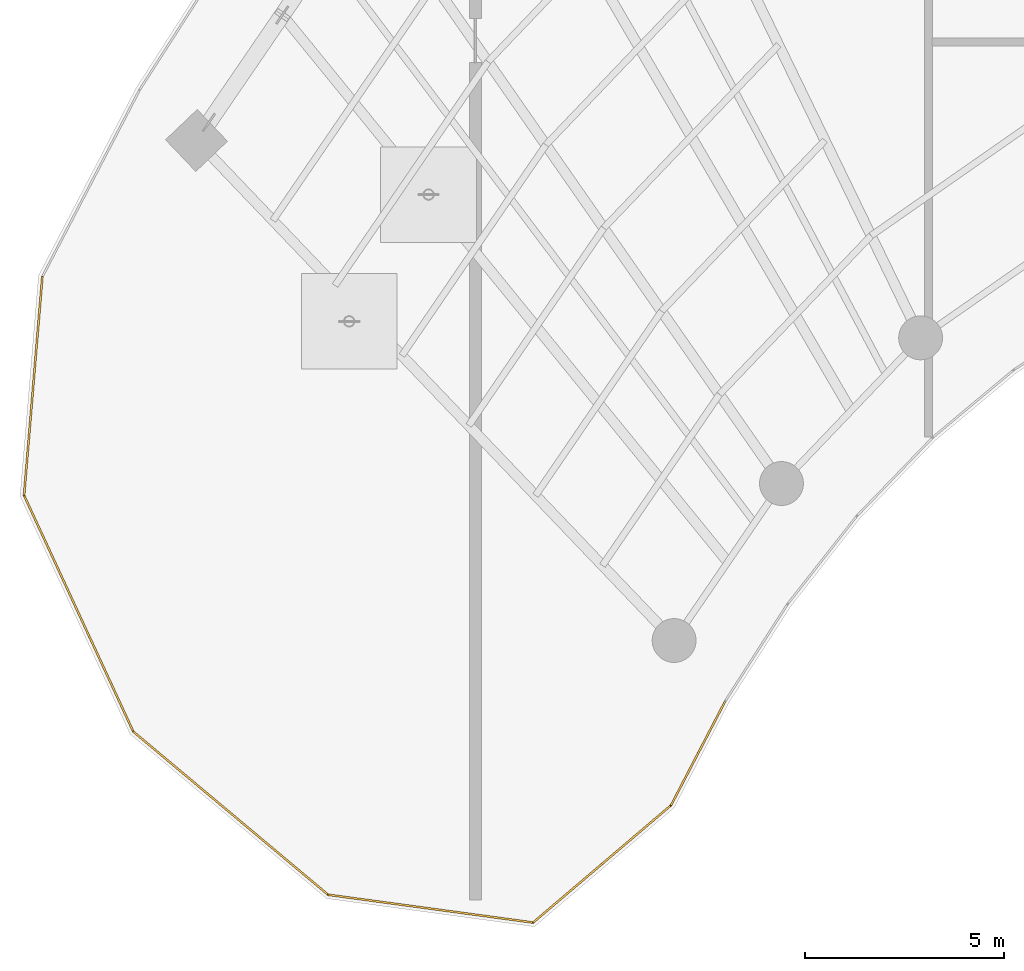
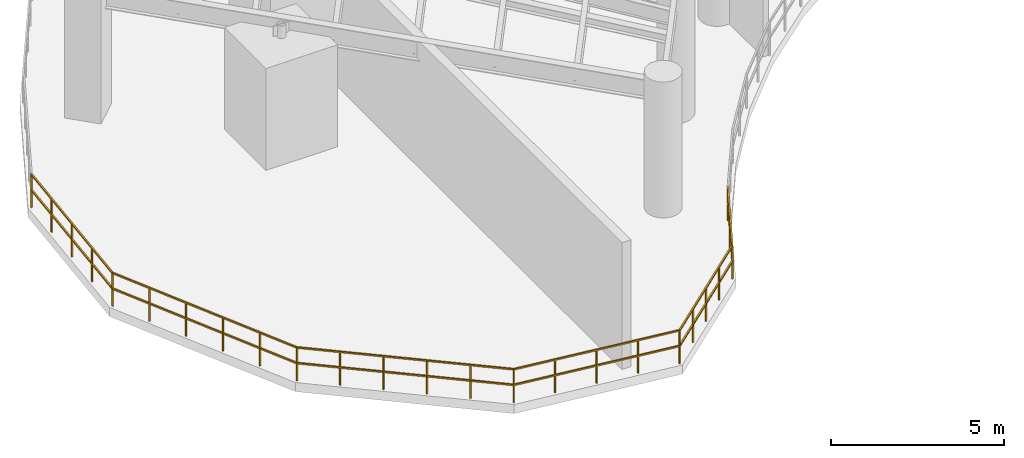
# One storey, part 14 of 24: 6 railings.
"""IFC4 building model written with IfcOpenShell, lengths in metres."""

from ifc_helpers import new_model, si_unit, direction, frame, origin, origin_2d, place, context, subcontext, project, spatial, rectangle, extrude, material, type_object, element, save


model = new_model("IFC4")

# Units and contexts
model_context = context("Model", 3, precision=1e-05, world=origin(), true_north=direction((0.0, 1.0)))
body_context = subcontext(model_context, "Body", "Model", "MODEL_VIEW")
ifc_project = project(units=[si_unit("LENGTHUNIT", "METRE"), si_unit("AREAUNIT", "SQUARE_METRE"), si_unit("VOLUMEUNIT", "CUBIC_METRE"), si_unit("PLANEANGLEUNIT", "RADIAN"), si_unit("MASSUNIT", "GRAM", prefix="KILO")], contexts=[model_context])

# Site, building, storey
site_placement = place(None, origin())
site = spatial("IfcSite", under=ifc_project, at=site_placement, CompositionType="ELEMENT")
building_placement = place(site_placement, origin())
building = spatial("IfcBuilding", under=site, at=building_placement, Name="Breltana Convention Tower", CompositionType="ELEMENT")
storey_placement = place(building_placement, frame((0.0, 0.0, 189.60009765625)))
storey = spatial("IfcBuildingStorey", under=building, at=storey_placement, Name="L46", CompositionType="ELEMENT", Elevation=189.60009765625)

# Railings
ifc_material = material(Name="Stainless Steel 316L", Category="steel")
railing_type = type_object("IfcRailingType", Name="RL-WIND-GUARD-1200", PredefinedType="BALUSTRADE", material=ifc_material)
railing_1_placement = place(storey_placement, frame((29.263671875, 41.4287109375, 0.0)))
element("IfcRailing", 1, at=railing_1_placement, inside=storey, type_object=railing_type, Name="L46 perimeter balustrade 44", PredefinedType="BALUSTRADE", context=body_context, shape_type="SweptSolid", body=[
    extrude(rectangle(XDim=0.048095703125, YDim=0.048095703125, at=origin_2d()), frame((0.0, 0.0, 1.17578125), z_axis=(-0.461773777633, -0.886997732968, 0.0), x_axis=(0.886997732968, -0.461773777633, 0.0)), (0.0, 0.0, 1.0), 2.93896484375),
    extrude(rectangle(XDim=0.048095703125, YDim=0.048095703125, at=origin_2d()), frame((0.0, 0.0, 0.6240234375), z_axis=(-0.461773777633, -0.886997732968, 0.0), x_axis=(0.886997732968, -0.461773777633, 0.0)), (0.0, 0.0, 1.0), 2.93896484375),
    extrude(rectangle(XDim=0.0419921875, YDim=0.0419921875, at=origin_2d()), origin(), (0.0, 0.0, 1.0), 1.15185546875),
    extrude(rectangle(XDim=0.0419921875, YDim=0.0419921875, at=origin_2d()), frame((-0.6787109375, -1.303466796875, 0.0)), (0.0, 0.0, 1.0), 1.15185546875),
    extrude(rectangle(XDim=0.0419921875, YDim=0.0419921875, at=origin_2d()), frame((-1.357177734375, -2.60693359375, 0.0)), (0.0, 0.0, 1.0), 1.15185546875),
])
railing_2_placement = place(storey_placement, frame((27.906494140625, 38.82177734375, 0.0)))
element("IfcRailing", 2, at=railing_2_placement, inside=storey, type_object=railing_type, Name="L46 perimeter balustrade 45", PredefinedType="BALUSTRADE", context=body_context, shape_type="SweptSolid", body=[
    extrude(rectangle(XDim=0.048095703125, YDim=0.048095703125, at=origin_2d()), frame((0.0, 0.0, 1.17578125), z_axis=(-0.761888889081, -0.647707743273, 0.0), x_axis=(0.647707743273, -0.761888889081, 0.0)), (0.0, 0.0, 1.0), 4.539306640625),
    extrude(rectangle(XDim=0.048095703125, YDim=0.048095703125, at=origin_2d()), frame((0.0, 0.0, 0.6240234375), z_axis=(-0.761888889081, -0.647707743273, 0.0), x_axis=(0.647707743273, -0.761888889081, 0.0)), (0.0, 0.0, 1.0), 4.539306640625),
    extrude(rectangle(XDim=0.0419921875, YDim=0.0419921875, at=origin_2d()), origin(), (0.0, 0.0, 1.0), 1.15185546875),
    extrude(rectangle(XDim=0.0419921875, YDim=0.0419921875, at=origin_2d()), frame((-0.86474609375, -0.735107421875, 0.0)), (0.0, 0.0, 1.0), 1.15185546875),
    extrude(rectangle(XDim=0.0419921875, YDim=0.0419921875, at=origin_2d()), frame((-1.729248046875, -1.47021484375, 0.0)), (0.0, 0.0, 1.0), 1.15185546875),
    extrude(rectangle(XDim=0.0419921875, YDim=0.0419921875, at=origin_2d()), frame((-2.59375, -2.205078125, 0.0)), (0.0, 0.0, 1.0), 1.15185546875),
    extrude(rectangle(XDim=0.0419921875, YDim=0.0419921875, at=origin_2d()), frame((-3.45849609375, -2.940185546875, 0.0)), (0.0, 0.0, 1.0), 1.15185546875),
])
railing_3_placement = place(storey_placement, frame((24.447998046875, 35.881591796875, 0.0)))
element("IfcRailing", 3, at=railing_3_placement, inside=storey, type_object=railing_type, Name="L46 perimeter balustrade 46", PredefinedType="BALUSTRADE", context=body_context, shape_type="SweptSolid", body=[
    extrude(rectangle(XDim=0.048095703125, YDim=0.048095703125, at=origin_2d()), frame((0.0, 0.0, 1.17578125), z_axis=(-0.990929007422, 0.134386391611, 0.0), x_axis=(-0.134386391611, -0.990929007422, 0.0)), (0.0, 0.0, 1.0), 5.186767578125),
    extrude(rectangle(XDim=0.048095703125, YDim=0.048095703125, at=origin_2d()), frame((0.0, 0.0, 0.6240234375), z_axis=(-0.990929007422, 0.134386391611, 0.0), x_axis=(-0.134386391611, -0.990929007422, 0.0)), (0.0, 0.0, 1.0), 5.186767578125),
    extrude(rectangle(XDim=0.0419921875, YDim=0.0419921875, at=origin_2d()), origin(), (0.0, 0.0, 1.0), 1.15185546875),
    extrude(rectangle(XDim=0.0419921875, YDim=0.0419921875, at=origin_2d()), frame((-1.284912109375, 0.17431640625, 0.0)), (0.0, 0.0, 1.0), 1.15185546875),
    extrude(rectangle(XDim=0.0419921875, YDim=0.0419921875, at=origin_2d()), frame((-2.56982421875, 0.3486328125, 0.0)), (0.0, 0.0, 1.0), 1.15185546875),
    extrude(rectangle(XDim=0.0419921875, YDim=0.0419921875, at=origin_2d()), frame((-3.854736328125, 0.522705078125, 0.0)), (0.0, 0.0, 1.0), 1.15185546875),
    extrude(rectangle(XDim=0.0419921875, YDim=0.0419921875, at=origin_2d()), frame((-5.1396484375, 0.697021484375, 0.0)), (0.0, 0.0, 1.0), 1.15185546875),
])
railing_4_placement = place(storey_placement, frame((19.308349609375, 36.57861328125, 0.0)))
element("IfcRailing", 4, at=railing_4_placement, inside=storey, type_object=railing_type, Name="L46 perimeter balustrade 47", PredefinedType="BALUSTRADE", context=body_context, shape_type="SweptSolid", body=[
    extrude(rectangle(XDim=0.048095703125, YDim=0.048095703125, at=origin_2d()), frame((0.0, 0.0, 1.17578125), z_axis=(-0.766721722437, 0.641979594959, 0.0), x_axis=(-0.641979594959, -0.766721722437, 0.0)), (0.0, 0.0, 1.0), 6.37451171875),
    extrude(rectangle(XDim=0.048095703125, YDim=0.048095703125, at=origin_2d()), frame((0.0, 0.0, 0.6240234375), z_axis=(-0.766721722437, 0.641979594959, 0.0), x_axis=(-0.641979594959, -0.766721722437, 0.0)), (0.0, 0.0, 1.0), 6.37451171875),
    extrude(rectangle(XDim=0.0419921875, YDim=0.0419921875, at=origin_2d()), origin(), (0.0, 0.0, 1.0), 1.15185546875),
    extrude(rectangle(XDim=0.0419921875, YDim=0.0419921875, at=origin_2d()), frame((-0.9775390625, 0.818359375, 0.0)), (0.0, 0.0, 1.0), 1.15185546875),
    extrude(rectangle(XDim=0.0419921875, YDim=0.0419921875, at=origin_2d()), frame((-1.955078125, 1.636962890625, 0.0)), (0.0, 0.0, 1.0), 1.15185546875),
    extrude(rectangle(XDim=0.0419921875, YDim=0.0419921875, at=origin_2d()), frame((-2.932373046875, 2.455322265625, 0.0)), (0.0, 0.0, 1.0), 1.15185546875),
    extrude(rectangle(XDim=0.0419921875, YDim=0.0419921875, at=origin_2d()), frame((-3.909912109375, 3.27392578125, 0.0)), (0.0, 0.0, 1.0), 1.15185546875),
    extrude(rectangle(XDim=0.0419921875, YDim=0.0419921875, at=origin_2d()), frame((-4.887451171875, 4.09228515625, 0.0)), (0.0, 0.0, 1.0), 1.15185546875),
])
railing_5_placement = place(storey_placement, frame((14.4208984375, 40.6708984375, 0.0)))
element("IfcRailing", 5, at=railing_5_placement, inside=storey, type_object=railing_type, Name="L46 perimeter balustrade 48", PredefinedType="BALUSTRADE", context=body_context, shape_type="SweptSolid", body=[
    extrude(rectangle(XDim=0.048095703125, YDim=0.048095703125, at=origin_2d()), frame((0.0, 0.0, 1.17578125), z_axis=(-0.419620331812, 0.907699717489, 0.0), x_axis=(-0.907699717489, -0.419620331812, 0.0)), (0.0, 0.0, 1.0), 6.526123046875),
    extrude(rectangle(XDim=0.048095703125, YDim=0.048095703125, at=origin_2d()), frame((0.0, 0.0, 0.6240234375), z_axis=(-0.419620331812, 0.907699717489, 0.0), x_axis=(-0.907699717489, -0.419620331812, 0.0)), (0.0, 0.0, 1.0), 6.526123046875),
    extrude(rectangle(XDim=0.0419921875, YDim=0.0419921875, at=origin_2d()), origin(), (0.0, 0.0, 1.0), 1.15185546875),
    extrude(rectangle(XDim=0.0419921875, YDim=0.0419921875, at=origin_2d()), frame((-0.547607421875, 1.184814453125, 0.0)), (0.0, 0.0, 1.0), 1.15185546875),
    extrude(rectangle(XDim=0.0419921875, YDim=0.0419921875, at=origin_2d()), frame((-1.095458984375, 2.36962890625, 0.0)), (0.0, 0.0, 1.0), 1.15185546875),
    extrude(rectangle(XDim=0.0419921875, YDim=0.0419921875, at=origin_2d()), frame((-1.64306640625, 3.55419921875, 0.0)), (0.0, 0.0, 1.0), 1.15185546875),
    extrude(rectangle(XDim=0.0419921875, YDim=0.0419921875, at=origin_2d()), frame((-2.19091796875, 4.739013671875, 0.0)), (0.0, 0.0, 1.0), 1.15185546875),
    extrude(rectangle(XDim=0.0419921875, YDim=0.0419921875, at=origin_2d()), frame((-2.738525390625, 5.923828125, 0.0)), (0.0, 0.0, 1.0), 1.15185546875),
])
railing_6_placement = place(storey_placement, frame((11.682373046875, 46.5947265625, 0.0)))
element("IfcRailing", 6, at=railing_6_placement, inside=storey, type_object=railing_type, Name="L46 perimeter balustrade 49", PredefinedType="BALUSTRADE", context=body_context, shape_type="SweptSolid", body=[
    extrude(rectangle(XDim=0.048095703125, YDim=0.048095703125, at=origin_2d()), frame((0.0, 0.0, 1.17578125), z_axis=(0.08330244177, 0.996524311392, 0.0), x_axis=(-0.996524311392, 0.08330244177, 0.0)), (0.0, 0.0, 1.0), 5.50390625),
    extrude(rectangle(XDim=0.048095703125, YDim=0.048095703125, at=origin_2d()), frame((0.0, 0.0, 0.6240234375), z_axis=(0.08330244177, 0.996524311392, 0.0), x_axis=(-0.996524311392, 0.08330244177, 0.0)), (0.0, 0.0, 1.0), 5.50390625),
    extrude(rectangle(XDim=0.0419921875, YDim=0.0419921875, at=origin_2d()), origin(), (0.0, 0.0, 1.0), 1.15185546875),
    extrude(rectangle(XDim=0.0419921875, YDim=0.0419921875, at=origin_2d()), frame((0.11474609375, 1.37109375, 0.0)), (0.0, 0.0, 1.0), 1.15185546875),
    extrude(rectangle(XDim=0.0419921875, YDim=0.0419921875, at=origin_2d()), frame((0.229248046875, 2.742431640625, 0.0)), (0.0, 0.0, 1.0), 1.15185546875),
    extrude(rectangle(XDim=0.0419921875, YDim=0.0419921875, at=origin_2d()), frame((0.34375, 4.11376953125, 0.0)), (0.0, 0.0, 1.0), 1.15185546875),
    extrude(rectangle(XDim=0.0419921875, YDim=0.0419921875, at=origin_2d()), frame((0.45849609375, 5.48486328125, 0.0)), (0.0, 0.0, 1.0), 1.15185546875),
])

save(model, "model.ifc")
